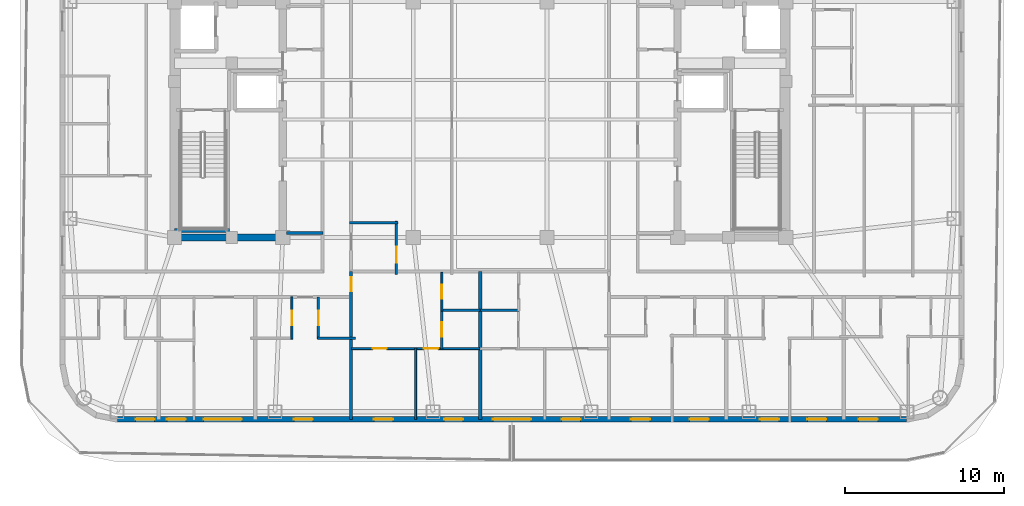
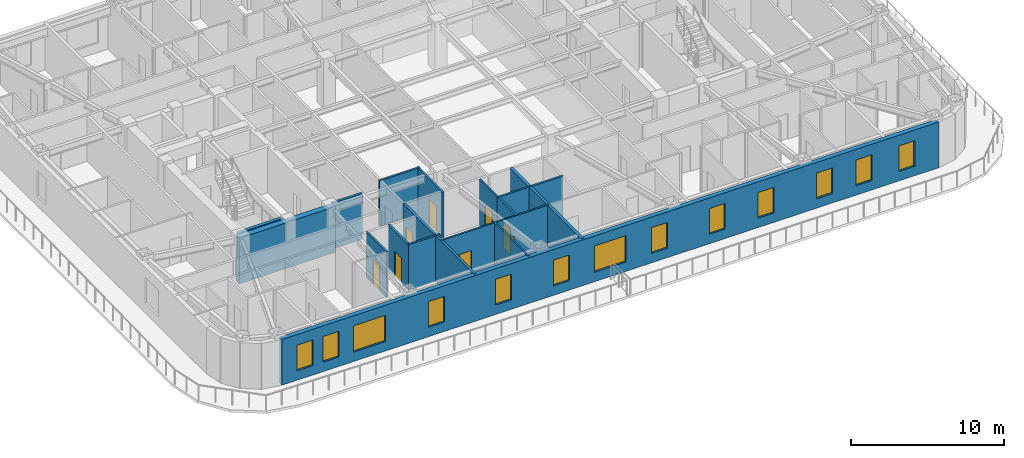
# One storey, part 3 of 15: 17 walls, 13 windows, 8 doors, 21 openings.
"""IFC4 building model written with IfcOpenShell, lengths in metres."""

from ifc_helpers import new_model, si_unit, direction, frame, frame_2d, origin, place, context, subcontext, project, spatial, rectangle, extrude, material, layer, layer_set, type_object, element, fill, save


model = new_model("IFC4")

# Units and contexts
model_context = context("Model", 3, precision=1e-05, world=origin(), true_north=direction((0.0, 1.0)))
body_context = subcontext(model_context, "Body", "Model", "MODEL_VIEW")
ifc_project = project(units=[si_unit("LENGTHUNIT", "METRE"), si_unit("AREAUNIT", "SQUARE_METRE"), si_unit("VOLUMEUNIT", "CUBIC_METRE"), si_unit("PLANEANGLEUNIT", "RADIAN"), si_unit("MASSUNIT", "GRAM", prefix="KILO")], contexts=[model_context])

# Site, building, storey
site_placement = place(None, origin())
site = spatial("IfcSite", under=ifc_project, at=site_placement, CompositionType="ELEMENT")
building_placement = place(site_placement, origin())
building = spatial("IfcBuilding", under=site, at=building_placement, Name="Voryun Gate Residences", CompositionType="ELEMENT")
storey_placement = place(building_placement, frame((0.0, 0.0, 231.39990234375)))
storey = spatial("IfcBuildingStorey", under=building, at=storey_placement, Name="L57", CompositionType="ELEMENT", Elevation=231.39990234375)

# Walls
ifc_material_1 = material(Name="Concrete C50/60", Category="concrete")
ifc_layer_1 = layer(ifc_material_1, 0.449951171875, Name="CW_CORE_450")
ifc_layer_set_1 = layer_set([ifc_layer_1], Name="Concrete C50/60")
wall_type_1 = type_object("IfcWallType", Name="CW_CORE_450", PredefinedType="SHEAR", material=ifc_layer_set_1)
wall_1_placement = place(storey_placement, frame((-19.425048828125, -7.39990234375, 0.0), z_axis=(0.0, 0.0, 1.0), x_axis=(1.0, 0.0, 0.0)))
element("IfcWall", 1, at=wall_1_placement, inside=storey, type_object=wall_type_1, Name="L57 Core shear wall CW-L57-WS", PredefinedType="SHEAR", context=body_context, shape_type="SweptSolid", body=[
    extrude(rectangle(XDim=7.25, YDim=0.449951171875, at=frame_2d((3.625, 0.0))), origin(), (0.0, 0.0, 1.0), 3.650146484375),
])
ifc_material_2 = material(Name="Gypsum acoustic fireboard")
ifc_layer_2 = layer(ifc_material_2, 0.179931640625, Name="W_CORR_RATED_180")
ifc_layer_set_2 = layer_set([ifc_layer_2], Name="Gypsum acoustic fireboard")
wall_type_2 = type_object("IfcWallType", Name="W_CORR_RATED_180", PredefinedType="PARTITIONING", material=ifc_layer_set_2)
wall_2_placement = place(storey_placement, frame((-12.14990234375, -7.1201171875, 0.0), z_axis=(0.0, 0.0, 1.0), x_axis=(1.0, 0.0, 0.0)))
element("IfcWall", 2, at=wall_2_placement, inside=storey, type_object=wall_type_2, Name="Partition wall WP-L57-PLBS-W", PredefinedType="PARTITIONING", context=body_context, shape_type="SweptSolid", body=[
    extrude(rectangle(XDim=2.27001953125, YDim=0.179931640625, at=frame_2d((1.135009765625, 0.0))), origin(), (0.0, 0.0, 1.0), 3.650146484375),
])

# Wall, opening, door
wall_3_placement = place(storey_placement, frame((-8.10009765625, -18.830078125, 0.0), z_axis=(0.0, 0.0, 1.0), x_axis=(0.0, 1.0, 0.0)))
wall_3 = element("IfcWall", 3, at=wall_3_placement, inside=storey, type_object=wall_type_2, Name="Partition wall WP-L57-SZV-1", PredefinedType="PARTITIONING", context=body_context, shape_type="SweptSolid", body=[
    extrude(rectangle(XDim=9.2900390625, YDim=0.179931640625, at=frame_2d((4.64501953125, 0.0))), origin(), (0.0, 0.0, 1.0), 3.650146484375),
])
opening_1_placement = place(wall_3_placement, frame((8.0400390625, 0.0, 0.0)))
opening_1 = element("IfcOpeningElement", 4, at=opening_1_placement, cuts=wall_3, Name="Opening D-INT-2", PredefinedType="OPENING", context=body_context, shape_type="SweptSolid", body=[
    extrude(rectangle(XDim=0.89990234375, YDim=2.050048828125, at=frame_2d((0.449951171875, 1.02490234375))), frame((0.0, 0.099853515625, 0.0), z_axis=(0.0, -1.0, 0.0), x_axis=(1.0, 0.0, 0.0)), (0.0, 0.0, 1.0), 0.199951171875),
])
ifc_material_3 = material(Name="Architectural oak veneer")
door_type_1 = type_object("IfcDoorType", Name="DR_INT_BATH_900", OperationType="NOTDEFINED", PredefinedType="DOOR", material=ifc_material_3)
door_1_placement = place(opening_1_placement, origin())
door_1 = element("IfcDoor", 5, at=door_1_placement, inside=storey, type_object=door_type_1, Name="Door DR-L57-SZENT-1", OperationType="SINGLE_SWING_LEFT", OverallHeight=2.050048828125, OverallWidth=0.89990234375, PredefinedType="DOOR", context=body_context, shape_type="SweptSolid", body=[
    extrude(rectangle(XDim=0.89990234375, YDim=2.050048828125, at=frame_2d((0.449951171875, 1.02490234375))), frame((0.0, 0.02490234375, 0.0), z_axis=(0.0, -1.0, 0.0), x_axis=(1.0, 0.0, 0.0)), (0.0, 0.0, 1.0), 0.050048828125),
])
fill(opening_1, door_1)

# Wall, openings, windows
ifc_material_4 = material(Name="Charcoal terracotta masonry", Category="masonry")
ifc_layer_3 = layer(ifc_material_4, 0.340087890625, Name="W_EXT_TERRACOTTA_340")
ifc_layer_set_3 = layer_set([ifc_layer_3], Name="Charcoal terracotta masonry")
wall_type_3 = type_object("IfcWallType", Name="W_EXT_TERRACOTTA_340", PredefinedType="ELEMENTEDWALL", material=ifc_layer_set_3)
wall_4_placement = place(storey_placement, frame((26.783203125, -18.830078125, 0.0), z_axis=(0.0, 0.0, 1.0), x_axis=(-1.0, 0.0, 0.0)))
wall_4 = element("IfcWall", 6, at=wall_4_placement, inside=storey, type_object=wall_type_3, Name="Exterior wall WEXT-L57-01", PredefinedType="ELEMENTEDWALL", context=body_context, shape_type="SweptSolid", body=[
    extrude(rectangle(XDim=49.56640625, YDim=0.340087890625, at=frame_2d((24.783203125, 0.0))), origin(), (0.0, 0.0, 1.0), 3.650146484375),
])
opening_2_placement = place(wall_4_placement, frame((23.583251953125, 0.0, 0.75)))
opening_2 = element("IfcOpeningElement", 7, at=opening_2_placement, cuts=wall_4, Name="Opening WN2", PredefinedType="OPENING", context=body_context, shape_type="SweptSolid", body=[
    extrude(rectangle(XDim=2.39990234375, YDim=2.10009765625, at=frame_2d((1.199951171875, 1.050048828125))), frame((0.0, 0.179931640625, 0.0), z_axis=(0.0, -1.0, 0.0), x_axis=(1.0, 0.0, 0.0)), (0.0, 0.0, 1.0), 0.360107421875),
])
opening_3_placement = place(wall_4_placement, frame((41.755615234375, 0.0, 0.75)))
opening_3 = element("IfcOpeningElement", 8, at=opening_3_placement, cuts=wall_4, Name="Opening WN2", PredefinedType="OPENING", context=body_context, shape_type="SweptSolid", body=[
    extrude(rectangle(XDim=2.39990234375, YDim=2.10009765625, at=frame_2d((1.199951171875, 1.050048828125))), frame((0.0, 0.179931640625, 0.0), z_axis=(0.0, -1.0, 0.0), x_axis=(1.0, 0.0, 0.0)), (0.0, 0.0, 1.0), 0.360107421875),
])
opening_4_placement = place(wall_4_placement, frame((47.222412109375, 0.0, 0.75)))
opening_4 = element("IfcOpeningElement", 9, at=opening_4_placement, cuts=wall_4, Name="Opening WN6", PredefinedType="OPENING", context=body_context, shape_type="SweptSolid", body=[
    extrude(rectangle(XDim=1.199951171875, YDim=2.050048828125, at=frame_2d((0.60009765625, 1.02490234375))), frame((0.0, 0.179931640625, 0.0), z_axis=(0.0, -1.0, 0.0), x_axis=(1.0, 0.0, 0.0)), (0.0, 0.0, 1.0), 0.360107421875),
])
opening_5_placement = place(wall_4_placement, frame((45.26318359375, 0.0, 0.75)))
opening_5 = element("IfcOpeningElement", 10, at=opening_5_placement, cuts=wall_4, Name="Opening WN6", PredefinedType="OPENING", context=body_context, shape_type="SweptSolid", body=[
    extrude(rectangle(XDim=1.199951171875, YDim=2.050048828125, at=frame_2d((0.60009765625, 1.02490234375))), frame((0.0, 0.179931640625, 0.0), z_axis=(0.0, -1.0, 0.0), x_axis=(1.0, 0.0, 0.0)), (0.0, 0.0, 1.0), 0.360107421875),
])
opening_6_placement = place(wall_4_placement, frame((37.289306640625, 0.0, 0.75)))
opening_6 = element("IfcOpeningElement", 11, at=opening_6_placement, cuts=wall_4, Name="Opening WN6", PredefinedType="OPENING", context=body_context, shape_type="SweptSolid", body=[
    extrude(rectangle(XDim=1.199951171875, YDim=2.050048828125, at=frame_2d((0.60009765625, 1.02490234375))), frame((0.0, 0.179931640625, 0.0), z_axis=(0.0, -1.0, 0.0), x_axis=(1.0, 0.0, 0.0)), (0.0, 0.0, 1.0), 0.360107421875),
])
opening_7_placement = place(wall_4_placement, frame((16.115234375, 0.0, 0.75)))
opening_7 = element("IfcOpeningElement", 12, at=opening_7_placement, cuts=wall_4, Name="Opening WN6", PredefinedType="OPENING", context=body_context, shape_type="SweptSolid", body=[
    extrude(rectangle(XDim=1.199951171875, YDim=2.050048828125, at=frame_2d((0.60009765625, 1.02490234375))), frame((0.0, 0.179931640625, 0.0), z_axis=(0.0, -1.0, 0.0), x_axis=(1.0, 0.0, 0.0)), (0.0, 0.0, 1.0), 0.360107421875),
])
opening_8_placement = place(wall_4_placement, frame((12.42236328125, 0.0, 0.75)))
opening_8 = element("IfcOpeningElement", 13, at=opening_8_placement, cuts=wall_4, Name="Opening WN6", PredefinedType="OPENING", context=body_context, shape_type="SweptSolid", body=[
    extrude(rectangle(XDim=1.199951171875, YDim=2.050048828125, at=frame_2d((0.60009765625, 1.02490234375))), frame((0.0, 0.179931640625, 0.0), z_axis=(0.0, -1.0, 0.0), x_axis=(1.0, 0.0, 0.0)), (0.0, 0.0, 1.0), 0.360107421875),
])
opening_9_placement = place(wall_4_placement, frame((8.009765625, 0.0, 0.75)))
opening_9 = element("IfcOpeningElement", 14, at=opening_9_placement, cuts=wall_4, Name="Opening WN6", PredefinedType="OPENING", context=body_context, shape_type="SweptSolid", body=[
    extrude(rectangle(XDim=1.199951171875, YDim=2.050048828125, at=frame_2d((0.60009765625, 1.02490234375))), frame((0.0, 0.179931640625, 0.0), z_axis=(0.0, -1.0, 0.0), x_axis=(1.0, 0.0, 0.0)), (0.0, 0.0, 1.0), 0.360107421875),
])
opening_10_placement = place(wall_4_placement, frame((5.037353515625, 0.0, 0.75)))
opening_10 = element("IfcOpeningElement", 15, at=opening_10_placement, cuts=wall_4, Name="Opening WN6", PredefinedType="OPENING", context=body_context, shape_type="SweptSolid", body=[
    extrude(rectangle(XDim=1.199951171875, YDim=2.050048828125, at=frame_2d((0.60009765625, 1.02490234375))), frame((0.0, 0.179931640625, 0.0), z_axis=(0.0, -1.0, 0.0), x_axis=(1.0, 0.0, 0.0)), (0.0, 0.0, 1.0), 0.360107421875),
])
opening_11_placement = place(wall_4_placement, frame((1.81103515625, 0.0, 0.75)))
opening_11 = element("IfcOpeningElement", 16, at=opening_11_placement, cuts=wall_4, Name="Opening WN6", PredefinedType="OPENING", context=body_context, shape_type="SweptSolid", body=[
    extrude(rectangle(XDim=1.199951171875, YDim=2.050048828125, at=frame_2d((0.60009765625, 1.02490234375))), frame((0.0, 0.179931640625, 0.0), z_axis=(0.0, -1.0, 0.0), x_axis=(1.0, 0.0, 0.0)), (0.0, 0.0, 1.0), 0.360107421875),
])
opening_12_placement = place(wall_4_placement, frame((32.25341796875, 0.0, 0.75)))
opening_12 = element("IfcOpeningElement", 17, at=opening_12_placement, cuts=wall_4, Name="Opening WN6", PredefinedType="OPENING", context=body_context, shape_type="SweptSolid", body=[
    extrude(rectangle(XDim=1.199951171875, YDim=2.050048828125, at=frame_2d((0.60009765625, 1.02490234375))), frame((0.0, 0.179931640625, 0.0), z_axis=(0.0, -1.0, 0.0), x_axis=(1.0, 0.0, 0.0)), (0.0, 0.0, 1.0), 0.360107421875),
])
opening_13_placement = place(wall_4_placement, frame((27.853271484375, 0.0, 0.75)))
opening_13 = element("IfcOpeningElement", 18, at=opening_13_placement, cuts=wall_4, Name="Opening WN6", PredefinedType="OPENING", context=body_context, shape_type="SweptSolid", body=[
    extrude(rectangle(XDim=1.199951171875, YDim=2.050048828125, at=frame_2d((0.60009765625, 1.02490234375))), frame((0.0, 0.179931640625, 0.0), z_axis=(0.0, -1.0, 0.0), x_axis=(1.0, 0.0, 0.0)), (0.0, 0.0, 1.0), 0.360107421875),
])
opening_14_placement = place(wall_4_placement, frame((20.473388671875, 0.0, 0.75)))
opening_14 = element("IfcOpeningElement", 19, at=opening_14_placement, cuts=wall_4, Name="Opening WN6", PredefinedType="OPENING", context=body_context, shape_type="SweptSolid", body=[
    extrude(rectangle(XDim=1.199951171875, YDim=2.050048828125, at=frame_2d((0.60009765625, 1.02490234375))), frame((0.0, 0.179931640625, 0.0), z_axis=(0.0, -1.0, 0.0), x_axis=(1.0, 0.0, 0.0)), (0.0, 0.0, 1.0), 0.360107421875),
])
ifc_material_5 = material(Name="Laminated low-E glass", Category="glass")
window_type_1 = type_object("IfcWindowType", Name="WN_POD_SLOT_1200", PartitioningType="SINGLE_PANEL", PredefinedType="WINDOW", material=ifc_material_5)
window_1_placement = place(opening_4_placement, origin())
window_1 = element("IfcWindow", 20, at=window_1_placement, inside=storey, type_object=window_type_1, Name="Window WN-L57-DWFIX-13", OverallHeight=2.050048828125, OverallWidth=1.199951171875, PartitioningType="SINGLE_PANEL", PredefinedType="WINDOW", context=body_context, shape_type="SweptSolid", body=[
    extrude(rectangle(XDim=1.199951171875, YDim=2.050048828125, at=frame_2d((0.60009765625, 1.02490234375))), frame((0.0, 0.030029296875, 0.0), z_axis=(0.0, -1.0, 0.0), x_axis=(1.0, 0.0, 0.0)), (0.0, 0.0, 1.0), 0.06005859375),
])
fill(opening_4, window_1)
window_2_placement = place(opening_5_placement, origin())
window_2 = element("IfcWindow", 21, at=window_2_placement, inside=storey, type_object=window_type_1, Name="Window WN-L57-DWFIX-14", OverallHeight=2.050048828125, OverallWidth=1.199951171875, PartitioningType="SINGLE_PANEL", PredefinedType="WINDOW", context=body_context, shape_type="SweptSolid", body=[
    extrude(rectangle(XDim=1.199951171875, YDim=2.050048828125, at=frame_2d((0.60009765625, 1.02490234375))), frame((0.0, 0.030029296875, 0.0), z_axis=(0.0, -1.0, 0.0), x_axis=(1.0, 0.0, 0.0)), (0.0, 0.0, 1.0), 0.06005859375),
])
fill(opening_5, window_2)
window_3_placement = place(opening_6_placement, origin())
window_3 = element("IfcWindow", 22, at=window_3_placement, inside=storey, type_object=window_type_1, Name="Window WN-L57-DWFIX-15", OverallHeight=2.050048828125, OverallWidth=1.199951171875, PartitioningType="SINGLE_PANEL", PredefinedType="WINDOW", context=body_context, shape_type="SweptSolid", body=[
    extrude(rectangle(XDim=1.199951171875, YDim=2.050048828125, at=frame_2d((0.60009765625, 1.02490234375))), frame((0.0, 0.030029296875, 0.0), z_axis=(0.0, -1.0, 0.0), x_axis=(1.0, 0.0, 0.0)), (0.0, 0.0, 1.0), 0.06005859375),
])
fill(opening_6, window_3)
window_4_placement = place(opening_7_placement, origin())
window_4 = element("IfcWindow", 23, at=window_4_placement, inside=storey, type_object=window_type_1, Name="Window WN-L57-DWFIX-16", OverallHeight=2.050048828125, OverallWidth=1.199951171875, PartitioningType="SINGLE_PANEL", PredefinedType="WINDOW", context=body_context, shape_type="SweptSolid", body=[
    extrude(rectangle(XDim=1.199951171875, YDim=2.050048828125, at=frame_2d((0.60009765625, 1.02490234375))), frame((0.0, 0.030029296875, 0.0), z_axis=(0.0, -1.0, 0.0), x_axis=(1.0, 0.0, 0.0)), (0.0, 0.0, 1.0), 0.06005859375),
])
fill(opening_7, window_4)
window_5_placement = place(opening_8_placement, origin())
window_5 = element("IfcWindow", 24, at=window_5_placement, inside=storey, type_object=window_type_1, Name="Window WN-L57-DWFIX-17", OverallHeight=2.050048828125, OverallWidth=1.199951171875, PartitioningType="SINGLE_PANEL", PredefinedType="WINDOW", context=body_context, shape_type="SweptSolid", body=[
    extrude(rectangle(XDim=1.199951171875, YDim=2.050048828125, at=frame_2d((0.60009765625, 1.02490234375))), frame((0.0, 0.030029296875, 0.0), z_axis=(0.0, -1.0, 0.0), x_axis=(1.0, 0.0, 0.0)), (0.0, 0.0, 1.0), 0.06005859375),
])
fill(opening_8, window_5)
window_6_placement = place(opening_9_placement, origin())
window_6 = element("IfcWindow", 25, at=window_6_placement, inside=storey, type_object=window_type_1, Name="Window WN-L57-DWFIX-18", OverallHeight=2.050048828125, OverallWidth=1.199951171875, PartitioningType="SINGLE_PANEL", PredefinedType="WINDOW", context=body_context, shape_type="SweptSolid", body=[
    extrude(rectangle(XDim=1.199951171875, YDim=2.050048828125, at=frame_2d((0.60009765625, 1.02490234375))), frame((0.0, 0.030029296875, 0.0), z_axis=(0.0, -1.0, 0.0), x_axis=(1.0, 0.0, 0.0)), (0.0, 0.0, 1.0), 0.06005859375),
])
fill(opening_9, window_6)
window_7_placement = place(opening_10_placement, origin())
window_7 = element("IfcWindow", 26, at=window_7_placement, inside=storey, type_object=window_type_1, Name="Window WN-L57-DWFIX-19", OverallHeight=2.050048828125, OverallWidth=1.199951171875, PartitioningType="SINGLE_PANEL", PredefinedType="WINDOW", context=body_context, shape_type="SweptSolid", body=[
    extrude(rectangle(XDim=1.199951171875, YDim=2.050048828125, at=frame_2d((0.60009765625, 1.02490234375))), frame((0.0, 0.030029296875, 0.0), z_axis=(0.0, -1.0, 0.0), x_axis=(1.0, 0.0, 0.0)), (0.0, 0.0, 1.0), 0.06005859375),
])
fill(opening_10, window_7)
window_8_placement = place(opening_11_placement, origin())
window_8 = element("IfcWindow", 27, at=window_8_placement, inside=storey, type_object=window_type_1, Name="Window WN-L57-DWFIX-20", OverallHeight=2.050048828125, OverallWidth=1.199951171875, PartitioningType="SINGLE_PANEL", PredefinedType="WINDOW", context=body_context, shape_type="SweptSolid", body=[
    extrude(rectangle(XDim=1.199951171875, YDim=2.050048828125, at=frame_2d((0.60009765625, 1.02490234375))), frame((0.0, 0.030029296875, 0.0), z_axis=(0.0, -1.0, 0.0), x_axis=(1.0, 0.0, 0.0)), (0.0, 0.0, 1.0), 0.06005859375),
])
fill(opening_11, window_8)
window_9_placement = place(opening_12_placement, origin())
window_9 = element("IfcWindow", 28, at=window_9_placement, inside=storey, type_object=window_type_1, Name="Window WN-L57-DWFIX-22", OverallHeight=2.050048828125, OverallWidth=1.199951171875, PartitioningType="SINGLE_PANEL", PredefinedType="WINDOW", context=body_context, shape_type="SweptSolid", body=[
    extrude(rectangle(XDim=1.199951171875, YDim=2.050048828125, at=frame_2d((0.60009765625, 1.02490234375))), frame((0.0, 0.030029296875, 0.0), z_axis=(0.0, -1.0, 0.0), x_axis=(1.0, 0.0, 0.0)), (0.0, 0.0, 1.0), 0.06005859375),
])
fill(opening_12, window_9)
window_10_placement = place(opening_13_placement, origin())
window_10 = element("IfcWindow", 29, at=window_10_placement, inside=storey, type_object=window_type_1, Name="Window WN-L57-DWFIX-23", OverallHeight=2.050048828125, OverallWidth=1.199951171875, PartitioningType="SINGLE_PANEL", PredefinedType="WINDOW", context=body_context, shape_type="SweptSolid", body=[
    extrude(rectangle(XDim=1.199951171875, YDim=2.050048828125, at=frame_2d((0.60009765625, 1.02490234375))), frame((0.0, 0.030029296875, 0.0), z_axis=(0.0, -1.0, 0.0), x_axis=(1.0, 0.0, 0.0)), (0.0, 0.0, 1.0), 0.06005859375),
])
fill(opening_13, window_10)
window_11_placement = place(opening_14_placement, origin())
window_11 = element("IfcWindow", 30, at=window_11_placement, inside=storey, type_object=window_type_1, Name="Window WN-L57-DWFIX-24", OverallHeight=2.050048828125, OverallWidth=1.199951171875, PartitioningType="SINGLE_PANEL", PredefinedType="WINDOW", context=body_context, shape_type="SweptSolid", body=[
    extrude(rectangle(XDim=1.199951171875, YDim=2.050048828125, at=frame_2d((0.60009765625, 1.02490234375))), frame((0.0, 0.030029296875, 0.0), z_axis=(0.0, -1.0, 0.0), x_axis=(1.0, 0.0, 0.0)), (0.0, 0.0, 1.0), 0.06005859375),
])
fill(opening_14, window_11)
ifc_material_6 = material(Name="Laminated low-E glass", Category="glass")
window_type_2 = type_object("IfcWindowType", Name="WN_RES_WIDE_2400", PartitioningType="SINGLE_PANEL", PredefinedType="WINDOW", material=ifc_material_6)
window_12_placement = place(opening_2_placement, origin())
window_12 = element("IfcWindow", 31, at=window_12_placement, inside=storey, type_object=window_type_2, Name="Window WN-WEXT-L57-01-02", OverallHeight=2.10009765625, OverallWidth=2.39990234375, PartitioningType="SINGLE_PANEL", PredefinedType="WINDOW", context=body_context, shape_type="SweptSolid", body=[
    extrude(rectangle(XDim=2.39990234375, YDim=2.10009765625, at=frame_2d((1.199951171875, 1.050048828125))), frame((0.0, 0.030029296875, 0.0), z_axis=(0.0, -1.0, 0.0), x_axis=(1.0, 0.0, 0.0)), (0.0, 0.0, 1.0), 0.06005859375),
])
fill(opening_2, window_12)
window_13_placement = place(opening_3_placement, origin())
window_13 = element("IfcWindow", 32, at=window_13_placement, inside=storey, type_object=window_type_2, Name="Window WN-WEXT-L57-01-03", OverallHeight=2.10009765625, OverallWidth=2.39990234375, PartitioningType="SINGLE_PANEL", PredefinedType="WINDOW", context=body_context, shape_type="SweptSolid", body=[
    extrude(rectangle(XDim=2.39990234375, YDim=2.10009765625, at=frame_2d((1.199951171875, 1.050048828125))), frame((0.0, 0.030029296875, 0.0), z_axis=(0.0, -1.0, 0.0), x_axis=(1.0, 0.0, 0.0)), (0.0, 0.0, 1.0), 0.06005859375),
])
fill(opening_3, window_13)

# Walls
ifc_material_7 = material(Name="Concrete C40/50", Category="concrete")
ifc_layer_4 = layer(ifc_material_7, 0.219970703125, Name="W_PARTY_ACOUSTIC_220")
ifc_layer_set_4 = layer_set([ifc_layer_4], Name="Concrete C40/50")
wall_type_4 = type_object("IfcWallType", Name="W_PARTY_ACOUSTIC_220", PredefinedType="PARTITIONING", material=ifc_layer_set_4)
wall_5_placement = place(storey_placement, frame((0.0, -18.830078125, 0.0), z_axis=(0.0, 0.0, 1.0), x_axis=(0.0, 1.0, 0.0)))
element("IfcWall", 33, at=wall_5_placement, inside=storey, type_object=wall_type_4, Name="Partition wall WP-L57-SZMID", PredefinedType="PARTITIONING", context=body_context, shape_type="SweptSolid", body=[
    extrude(rectangle(XDim=9.2900390625, YDim=0.219970703125, at=frame_2d((4.64501953125, 0.0))), origin(), (0.0, 0.0, 1.0), 3.650146484375),
])
ifc_material_8 = material(Name="Concrete C50/60", Category="concrete")
ifc_layer_5 = layer(ifc_material_8, 0.25, Name="W_SHAFT_RC250")
ifc_layer_set_5 = layer_set([ifc_layer_5], Name="Concrete C50/60")
wall_type_5 = type_object("IfcWallType", Name="W_SHAFT_RC250", PredefinedType="SOLIDWALL", material=ifc_layer_set_5)
wall_6_placement = place(storey_placement, frame((-19.199951171875, -6.965087890625, 0.0), z_axis=(0.0, 0.0, 1.0), x_axis=(1.0, 0.0, 0.0)))
element("IfcWall", 34, at=wall_6_placement, inside=storey, type_object=wall_type_5, Name="L57 Stair shaft structural wall W-STS", PredefinedType="SOLIDWALL", context=body_context, shape_type="SweptSolid", body=[
    extrude(rectangle(XDim=3.4599609375, YDim=0.25, at=frame_2d((1.72998046875, 0.0))), origin(), (0.0, 0.0, 1.0), 3.650146484375),
])

# Wall, opening, door
ifc_material_9 = material(Name="Gypsum acoustic partition")
ifc_layer_6 = layer(ifc_material_9, 0.125, Name="W_UNIT_PART_125")
ifc_layer_set_6 = layer_set([ifc_layer_6], Name="Gypsum acoustic partition")
wall_type_6 = type_object("IfcWallType", Name="W_UNIT_PART_125", PredefinedType="PARTITIONING", material=ifc_layer_set_6)
wall_7_placement = place(storey_placement, frame((-11.818115234375, -13.780029296875, 0.0), z_axis=(0.0, 0.0, 1.0), x_axis=(0.0, 1.0, 0.0)))
wall_7 = element("IfcWall", 35, at=wall_7_placement, inside=storey, type_object=wall_type_6, Name="Partition wall WP-L57-S3-CVK", PredefinedType="PARTITIONING", context=body_context, shape_type="SweptSolid", body=[
    extrude(rectangle(XDim=2.650146484375, YDim=0.125, at=frame_2d((1.3251953125, 0.0))), origin(), (0.0, 0.0, 1.0), 3.650146484375),
])
opening_15_placement = place(wall_7_placement, frame((0.875, 0.0, 0.0)))
opening_15 = element("IfcOpeningElement", 36, at=opening_15_placement, cuts=wall_7, Name="Opening D-INT-2", PredefinedType="OPENING", context=body_context, shape_type="SweptSolid", body=[
    extrude(rectangle(XDim=0.89990234375, YDim=2.050048828125, at=frame_2d((0.449951171875, 1.02490234375))), frame((0.0, 0.072509765625, 0.0), z_axis=(0.0, -1.0, 0.0), x_axis=(1.0, 0.0, 0.0)), (0.0, 0.0, 1.0), 0.14501953125),
])
door_2_placement = place(opening_15_placement, origin())
door_2 = element("IfcDoor", 37, at=door_2_placement, inside=storey, type_object=door_type_1, Name="Door DR-L57-S3-DK", OperationType="SINGLE_SWING_LEFT", OverallHeight=2.050048828125, OverallWidth=0.89990234375, PredefinedType="DOOR", context=body_context, shape_type="SweptSolid", body=[
    extrude(rectangle(XDim=0.89990234375, YDim=2.050048828125, at=frame_2d((0.449951171875, 1.02490234375))), frame((0.0, 0.02490234375, 0.0), z_axis=(0.0, -1.0, 0.0), x_axis=(1.0, 0.0, 0.0)), (0.0, 0.0, 1.0), 0.050048828125),
])
fill(opening_15, door_2)

# Wall, openings, doors
wall_8_placement = place(storey_placement, frame((-8.080078125, -14.3798828125, 0.0), z_axis=(0.0, 0.0, 1.0), x_axis=(1.0, 0.0, 0.0)))
wall_8 = element("IfcWall", 38, at=wall_8_placement, inside=storey, type_object=wall_type_6, Name="Partition wall WP-L57-SC1-HZ", PredefinedType="PARTITIONING", context=body_context, shape_type="SweptSolid", body=[
    extrude(rectangle(XDim=8.06005859375, YDim=0.125, at=frame_2d((4.030029296875, 0.0))), origin(), (0.0, 0.0, 1.0), 3.650146484375),
])
opening_16_placement = place(wall_8_placement, frame((1.3232421875, 0.0, 0.0)))
opening_16 = element("IfcOpeningElement", 39, at=opening_16_placement, cuts=wall_8, Name="Opening D-INT-2", PredefinedType="OPENING", context=body_context, shape_type="SweptSolid", body=[
    extrude(rectangle(XDim=0.89990234375, YDim=2.050048828125, at=frame_2d((0.449951171875, 1.02490234375))), frame((0.0, 0.072509765625, 0.0), z_axis=(0.0, -1.0, 0.0), x_axis=(1.0, 0.0, 0.0)), (0.0, 0.0, 1.0), 0.14501953125),
])
opening_17_placement = place(wall_8_placement, frame((4.547119140625, 0.0, 0.0)))
opening_17 = element("IfcOpeningElement", 40, at=opening_17_placement, cuts=wall_8, Name="Opening D-INT-2", PredefinedType="OPENING", context=body_context, shape_type="SweptSolid", body=[
    extrude(rectangle(XDim=0.89990234375, YDim=2.050048828125, at=frame_2d((0.449951171875, 1.02490234375))), frame((0.0, 0.072509765625, 0.0), z_axis=(0.0, -1.0, 0.0), x_axis=(1.0, 0.0, 0.0)), (0.0, 0.0, 1.0), 0.14501953125),
])
door_3_placement = place(opening_16_placement, origin())
door_3 = element("IfcDoor", 41, at=door_3_placement, inside=storey, type_object=door_type_1, Name="Door DR-L57-SC1-DMB", OperationType="SINGLE_SWING_LEFT", OverallHeight=2.050048828125, OverallWidth=0.89990234375, PredefinedType="DOOR", context=body_context, shape_type="SweptSolid", body=[
    extrude(rectangle(XDim=0.89990234375, YDim=2.050048828125, at=frame_2d((0.449951171875, 1.02490234375))), frame((0.0, 0.02490234375, 0.0), z_axis=(0.0, -1.0, 0.0), x_axis=(1.0, 0.0, 0.0)), (0.0, 0.0, 1.0), 0.050048828125),
])
fill(opening_16, door_3)
door_4_placement = place(opening_17_placement, origin())
door_4 = element("IfcDoor", 42, at=door_4_placement, inside=storey, type_object=door_type_1, Name="Door DR-L57-SC1-DBD2", OperationType="SINGLE_SWING_RIGHT", OverallHeight=2.050048828125, OverallWidth=0.89990234375, PredefinedType="DOOR", context=body_context, shape_type="SweptSolid", body=[
    extrude(rectangle(XDim=0.89990234375, YDim=2.050048828125, at=frame_2d((0.449951171875, 1.02490234375))), frame((0.0, 0.02490234375, 0.0), z_axis=(0.0, -1.0, 0.0), x_axis=(1.0, 0.0, 0.0)), (0.0, 0.0, 1.0), 0.050048828125),
])
fill(opening_17, door_4)

# Wall, opening, door
wall_9_placement = place(storey_placement, frame((-2.409912109375, -12.010009765625, 0.0), z_axis=(0.0, 0.0, 1.0), x_axis=(0.0, 1.0, 0.0)))
wall_9 = element("IfcWall", 43, at=wall_9_placement, inside=storey, type_object=wall_type_6, Name="Partition wall WP-L57-SC1-VK1", PredefinedType="PARTITIONING", context=body_context, shape_type="SweptSolid", body=[
    extrude(rectangle(XDim=2.409912109375, YDim=0.125, at=frame_2d((1.205078125, 0.0))), origin(), (0.0, 0.0, 1.0), 3.650146484375),
])
opening_18_placement = place(wall_9_placement, frame((0.7548828125, 0.0, 0.0)))
opening_18 = element("IfcOpeningElement", 44, at=opening_18_placement, cuts=wall_9, Name="Opening D-INT-2", PredefinedType="OPENING", context=body_context, shape_type="SweptSolid", body=[
    extrude(rectangle(XDim=0.89990234375, YDim=2.050048828125, at=frame_2d((0.449951171875, 1.02490234375))), frame((0.0, 0.072509765625, 0.0), z_axis=(0.0, -1.0, 0.0), x_axis=(1.0, 0.0, 0.0)), (0.0, 0.0, 1.0), 0.14501953125),
])
door_5_placement = place(opening_18_placement, origin())
door_5 = element("IfcDoor", 45, at=door_5_placement, inside=storey, type_object=door_type_1, Name="Door DR-L57-SC1-DK", OperationType="SINGLE_SWING_LEFT", OverallHeight=2.050048828125, OverallWidth=0.89990234375, PredefinedType="DOOR", context=body_context, shape_type="SweptSolid", body=[
    extrude(rectangle(XDim=0.89990234375, YDim=2.050048828125, at=frame_2d((0.449951171875, 1.02490234375))), frame((0.0, 0.02490234375, 0.0), z_axis=(0.0, -1.0, 0.0), x_axis=(1.0, 0.0, 0.0)), (0.0, 0.0, 1.0), 0.050048828125),
])
fill(opening_18, door_5)

# Wall
wall_10_placement = place(storey_placement, frame((-4.050048828125, -18.830078125, 0.0), z_axis=(0.0, 0.0, 1.0), x_axis=(0.0, 1.0, 0.0)))
element("IfcWall", 46, at=wall_10_placement, inside=storey, type_object=wall_type_6, Name="Partition wall WP-L57-SC1-VBD", PredefinedType="PARTITIONING", context=body_context, shape_type="SweptSolid", body=[
    extrude(rectangle(XDim=4.489990234375, YDim=0.125, at=frame_2d((2.2451171875, 0.0))), origin(), (0.0, 0.0, 1.0), 3.650146484375),
])

# Wall, opening, door
ifc_material_10 = material(Name="Gypsum moisture-resistant partition")
ifc_layer_7 = layer(ifc_material_10, 0.14990234375, Name="W_WET_PLUMB_150")
ifc_layer_set_7 = layer_set([ifc_layer_7], Name="Gypsum moisture-resistant partition")
wall_type_7 = type_object("IfcWallType", Name="W_WET_PLUMB_150", PredefinedType="PLUMBINGWALL", material=ifc_layer_set_7)
wall_11_placement = place(storey_placement, frame((-5.260009765625, -9.719970703125, 0.0), z_axis=(0.0, 0.0, 1.0), x_axis=(0.0, 1.0, 0.0)))
wall_11 = element("IfcWall", 47, at=wall_11_placement, inside=storey, type_object=wall_type_7, Name="Partition wall WP-L57-CMWCX", PredefinedType="PLUMBINGWALL", context=body_context, shape_type="SweptSolid", body=[
    extrude(rectangle(XDim=3.349853515625, YDim=0.14990234375, at=frame_2d((1.6748046875, 0.0))), origin(), (0.0, 0.0, 1.0), 3.650146484375),
])
opening_19_placement = place(wall_11_placement, frame((0.735107421875, 0.0, 0.0)))
opening_19 = element("IfcOpeningElement", 48, at=opening_19_placement, cuts=wall_11, Name="Opening D-AWC-1", PredefinedType="OPENING", context=body_context, shape_type="SweptSolid", body=[
    extrude(rectangle(XDim=1.0, YDim=2.050048828125, at=frame_2d((0.5, 1.02490234375))), frame((0.0, 0.0849609375, 0.0), z_axis=(0.0, -1.0, 0.0), x_axis=(1.0, 0.0, 0.0)), (0.0, 0.0, 1.0), 0.169921875),
])
ifc_material_11 = material(Name="Architectural oak veneer")
door_type_2 = type_object("IfcDoorType", Name="DR_ACC_WC_1000", OperationType="NOTDEFINED", PredefinedType="DOOR", material=ifc_material_11)
door_6_placement = place(opening_19_placement, origin())
door_6 = element("IfcDoor", 49, at=door_6_placement, inside=storey, type_object=door_type_2, Name="Door DR-L57-CMWC", OperationType="SINGLE_SWING_LEFT", OverallHeight=2.050048828125, OverallWidth=1.0, PredefinedType="DOOR", context=body_context, shape_type="SweptSolid", body=[
    extrude(rectangle(XDim=1.0, YDim=2.050048828125, at=frame_2d((0.5, 1.02490234375))), frame((0.0, 0.02490234375, 0.0), z_axis=(0.0, -1.0, 0.0), x_axis=(1.0, 0.0, 0.0)), (0.0, 0.0, 1.0), 0.050048828125),
])
fill(opening_19, door_6)

# Wall
wall_12_placement = place(storey_placement, frame((-8.2099609375, -6.469970703125, 0.0), z_axis=(0.0, 0.0, 1.0), x_axis=(1.0, 0.0, 0.0)))
element("IfcWall", 50, at=wall_12_placement, inside=storey, type_object=wall_type_7, Name="Partition wall WP-L57-CMWCY", PredefinedType="PLUMBINGWALL", context=body_context, shape_type="SweptSolid", body=[
    extrude(rectangle(XDim=3.050048828125, YDim=0.14990234375, at=frame_2d((1.52490234375, 0.0))), origin(), (0.0, 0.0, 1.0), 3.650146484375),
])

# Wall, opening, door
wall_13_placement = place(storey_placement, frame((-10.156982421875, -13.780029296875, 0.0), z_axis=(0.0, 0.0, 1.0), x_axis=(0.0, 1.0, 0.0)))
wall_13 = element("IfcWall", 51, at=wall_13_placement, inside=storey, type_object=wall_type_7, Name="Partition wall WP-L57-S3-CVB", PredefinedType="PLUMBINGWALL", context=body_context, shape_type="SweptSolid", body=[
    extrude(rectangle(XDim=2.650146484375, YDim=0.14990234375, at=frame_2d((1.3251953125, 0.0))), origin(), (0.0, 0.0, 1.0), 3.650146484375),
])
opening_20_placement = place(wall_13_placement, frame((0.875, 0.0, 0.0)))
opening_20 = element("IfcOpeningElement", 52, at=opening_20_placement, cuts=wall_13, Name="Opening D-INT-2", PredefinedType="OPENING", context=body_context, shape_type="SweptSolid", body=[
    extrude(rectangle(XDim=0.89990234375, YDim=2.050048828125, at=frame_2d((0.449951171875, 1.02490234375))), frame((0.0, 0.0849609375, 0.0), z_axis=(0.0, -1.0, 0.0), x_axis=(1.0, 0.0, 0.0)), (0.0, 0.0, 1.0), 0.169921875),
])
door_7_placement = place(opening_20_placement, origin())
door_7 = element("IfcDoor", 53, at=door_7_placement, inside=storey, type_object=door_type_1, Name="Door DR-L57-S3-DB", OperationType="SINGLE_SWING_RIGHT", OverallHeight=2.050048828125, OverallWidth=0.89990234375, PredefinedType="DOOR", context=body_context, shape_type="SweptSolid", body=[
    extrude(rectangle(XDim=0.89990234375, YDim=2.050048828125, at=frame_2d((0.449951171875, 1.02490234375))), frame((0.0, 0.02490234375, 0.0), z_axis=(0.0, -1.0, 0.0), x_axis=(1.0, 0.0, 0.0)), (0.0, 0.0, 1.0), 0.050048828125),
])
fill(opening_20, door_7)

# Wall
wall_14_placement = place(storey_placement, frame((-10.217041015625, -13.719970703125, 0.0), z_axis=(0.0, 0.0, 1.0), x_axis=(1.0, 0.0, 0.0)))
element("IfcWall", 54, at=wall_14_placement, inside=storey, type_object=wall_type_7, Name="Partition wall WP-L57-S3-CHB", PredefinedType="PLUMBINGWALL", context=body_context, shape_type="SweptSolid", body=[
    extrude(rectangle(XDim=2.39697265625, YDim=0.14990234375, at=frame_2d((1.198486328125, 0.0))), origin(), (0.0, 0.0, 1.0), 3.650146484375),
])

# Wall, opening, door
wall_15_placement = place(storey_placement, frame((-2.409912109375, -14.419921875, 0.0), z_axis=(0.0, 0.0, 1.0), x_axis=(0.0, 1.0, 0.0)))
wall_15 = element("IfcWall", 55, at=wall_15_placement, inside=storey, type_object=wall_type_7, Name="Partition wall WP-L57-SC1-VK2", PredefinedType="PLUMBINGWALL", context=body_context, shape_type="SweptSolid", body=[
    extrude(rectangle(XDim=2.469970703125, YDim=0.14990234375, at=frame_2d((1.23486328125, 0.0))), origin(), (0.0, 0.0, 1.0), 3.650146484375),
])
opening_21_placement = place(wall_15_placement, frame((0.784912109375, 0.0, 0.0)))
opening_21 = element("IfcOpeningElement", 56, at=opening_21_placement, cuts=wall_15, Name="Opening D-INT-2", PredefinedType="OPENING", context=body_context, shape_type="SweptSolid", body=[
    extrude(rectangle(XDim=0.89990234375, YDim=2.050048828125, at=frame_2d((0.449951171875, 1.02490234375))), frame((0.0, 0.0849609375, 0.0), z_axis=(0.0, -1.0, 0.0), x_axis=(1.0, 0.0, 0.0)), (0.0, 0.0, 1.0), 0.169921875),
])
door_8_placement = place(opening_21_placement, origin())
door_8 = element("IfcDoor", 57, at=door_8_placement, inside=storey, type_object=door_type_1, Name="Door DR-L57-SC1-DB", OperationType="SINGLE_SWING_RIGHT", OverallHeight=2.050048828125, OverallWidth=0.89990234375, PredefinedType="DOOR", context=body_context, shape_type="SweptSolid", body=[
    extrude(rectangle(XDim=0.89990234375, YDim=2.050048828125, at=frame_2d((0.449951171875, 1.02490234375))), frame((0.0, 0.02490234375, 0.0), z_axis=(0.0, -1.0, 0.0), x_axis=(1.0, 0.0, 0.0)), (0.0, 0.0, 1.0), 0.050048828125),
])
fill(opening_21, door_8)

# Walls
for number, where, z_axis, x_axis, name in (
    (58, (-2.449951171875, -11.97998046875, 0.0), (0.0, 0.0, 1.0), (1.0, 0.0, 0.0), "Partition wall WP-L57-SC1-HKB"),
    (59, (0.02001953125, -11.97998046875, 0.0), (0.0, 0.0, 1.0), (1.0, 0.0, 0.0), "Partition wall WP-L57-SC2-HKB"),
):
    element("IfcWall", number, at=place(storey_placement, frame(where, z_axis=z_axis, x_axis=x_axis)), inside=storey, type_object=wall_type_7, Name=name, PredefinedType="PLUMBINGWALL", context=body_context, shape_type="SweptSolid", body=[
        extrude(rectangle(XDim=2.429931640625, YDim=0.14990234375, at=frame_2d((1.21484375, 0.0))), origin(), (0.0, 0.0, 1.0), 3.650146484375),
    ])

save(model, "model.ifc")
